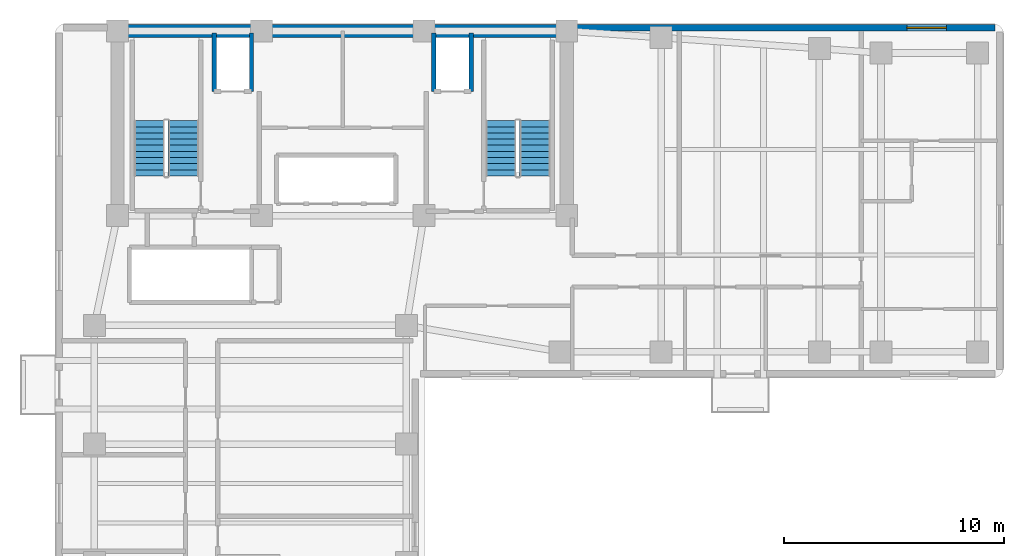
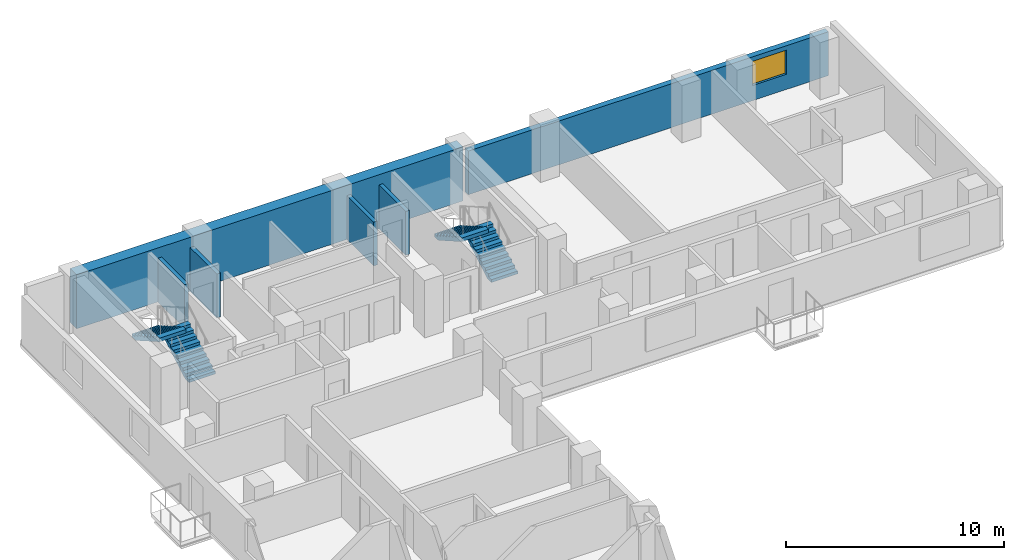
# One storey, part 5 of 7: 6 walls, 4 stair flights, 1 window, 1 opening, 2 elements without a shape of their own.
"""IFC4 building model written with IfcOpenShell, lengths in metres."""

from ifc_helpers import new_model, si_unit, direction, frame, frame_2d, origin, place, context, subcontext, project, spatial, polyline, rectangle, outline, extrude, material, layer, layer_set, type_object, element, fill, aggregate, save


model = new_model("IFC4")

# Units and contexts
model_context = context("Model", 3, precision=1e-05, world=origin(), true_north=direction((0.0, 1.0)))
body_context = subcontext(model_context, "Body", "Model", "MODEL_VIEW")
ifc_project = project(units=[si_unit("LENGTHUNIT", "METRE"), si_unit("AREAUNIT", "SQUARE_METRE"), si_unit("VOLUMEUNIT", "CUBIC_METRE"), si_unit("PLANEANGLEUNIT", "RADIAN"), si_unit("MASSUNIT", "GRAM", prefix="KILO")], contexts=[model_context])

# Site, building, storey
site_placement = place(None, origin())
site = spatial("IfcSite", under=ifc_project, at=site_placement, CompositionType="ELEMENT")
building_placement = place(site_placement, origin())
building = spatial("IfcBuilding", under=site, at=building_placement, Name="Kuzgunbayir Cultural Tower", CompositionType="ELEMENT")
storey_placement = place(building_placement, frame((0.0, 0.0, 129.800048828125)))
storey = spatial("IfcBuildingStorey", under=building, at=storey_placement, Name="L37", CompositionType="ELEMENT", Elevation=129.800048828125)

# Wall
ifc_material_1 = material(Name="Concrete C60/75", Category="concrete")
ifc_layer_1 = layer(ifc_material_1, 0.60009765625)
ifc_layer_set_1 = layer_set([ifc_layer_1], Name="Concrete C60/75")
wall_type_1 = type_object("IfcWallType", Name="WAL-CORE-600", PredefinedType="SHEAR", material=ifc_layer_set_1)
wall_1_placement = place(storey_placement, frame((6.449951171875, 42.199951171875, 0.0), z_axis=(0.0, 0.0, 1.0), x_axis=(1.0, 0.0, 0.0)))
element("IfcWall", 1, at=wall_1_placement, inside=storey, type_object=wall_type_1, Name="L37 T1 Core North Shear Wall", PredefinedType="SHEAR", context=body_context, shape_type="SweptSolid", body=[
    extrude(rectangle(XDim=20.449951171875, YDim=0.60009765625, at=frame_2d((10.22509765625, 0.0))), origin(), (0.0, 0.0, 1.0), 3.02001953125),
])

# Wall, opening, window
ifc_material_2 = material(Name="Anatolian Cream Limestone", Category="masonry")
ifc_layer_2 = layer(ifc_material_2, 0.300048828125)
ifc_layer_set_2 = layer_set([ifc_layer_2], Name="Anatolian Cream Limestone")
wall_type_2 = type_object("IfcWallType", Name="WAL-EXT-STONE-300", PredefinedType="STANDARD", material=ifc_layer_set_2)
wall_2_placement = place(storey_placement, frame((46.39990234375, 42.35009765625, 0.0), z_axis=(0.0, 0.0, 1.0), x_axis=(-1.0, 0.0, 0.0)))
wall_2 = element("IfcWall", 2, at=wall_2_placement, inside=storey, type_object=wall_type_2, Name="L37 North Wing B Limestone Wall", PredefinedType="STANDARD", context=body_context, shape_type="SweptSolid", body=[
    extrude(rectangle(XDim=19.0498046875, YDim=0.300048828125, at=frame_2d((9.52490234375, 0.0))), origin(), (0.0, 0.0, 1.0), 2.449951171875),
])
opening_placement = place(wall_2_placement, frame((2.219970703125, 0.0, 0.85009765625)))
opening = element("IfcOpeningElement", 3, at=opening_placement, cuts=wall_2, Name="Opening WH-18", PredefinedType="OPENING", context=body_context, shape_type="SweptSolid", body=[
    extrude(rectangle(XDim=1.800048828125, YDim=1.35009765625, at=frame_2d((0.89990234375, 0.675048828125))), frame((0.0, 0.16015625, 0.0), z_axis=(0.0, -1.0, 0.0), x_axis=(1.0, 0.0, 0.0)), (0.0, 0.0, 1.0), 0.320068359375),
])
ifc_material_3 = material(Name="Solar-Control Triple Glazing", Category="glass")
window_type = type_object("IfcWindowType", Name="WIN-HOTEL-18", PartitioningType="SINGLE_PANEL", PredefinedType="WINDOW", material=ifc_material_3)
window_placement = place(opening_placement, origin())
window = element("IfcWindow", 4, at=window_placement, inside=storey, type_object=window_type, Name="L37 CRN Facade Window 5", OverallHeight=1.35009765625, OverallWidth=1.800048828125, PartitioningType="SINGLE_PANEL", PredefinedType="WINDOW", context=body_context, shape_type="SweptSolid", body=[
    extrude(rectangle(XDim=1.800048828125, YDim=1.35009765625, at=frame_2d((0.89990234375, 0.675048828125))), frame((0.0, 0.030029296875, 0.0), z_axis=(0.0, -1.0, 0.0), x_axis=(1.0, 0.0, 0.0)), (0.0, 0.0, 1.0), 0.06005859375),
])
fill(opening, window)

# Walls
ifc_material_4 = material(Name="Concrete C40/50", Category="concrete")
ifc_layer_3 = layer(ifc_material_4, 0.199951171875)
ifc_layer_set_3 = layer_set([ifc_layer_3], Name="Concrete C40/50")
wall_type_3 = type_object("IfcWallType", Name="WAL-SHAFT-200", PredefinedType="MOVABLE", material=ifc_layer_set_3)
for number, where, z_axis, x_axis, name in (
    (5, (10.85009765625, 39.449951171875, 0.0), (0.0, 0.0, 1.0), (0.0, 1.0, 0.0), "L37 FFL-1 Shaft West Wall"),
    (6, (12.550048828125, 39.449951171875, 0.0), (0.0, 0.0, 1.0), (0.0, 1.0, 0.0), "L37 FFL-1 Shaft East Wall"),
    (7, (20.85009765625, 39.449951171875, 0.0), (0.0, 0.0, 1.0), (0.0, 1.0, 0.0), "L37 FFL-2 Shaft West Wall"),
    (8, (22.550048828125, 39.449951171875, 0.0), (0.0, 0.0, 1.0), (0.0, 1.0, 0.0), "L37 FFL-2 Shaft East Wall"),
):
    element("IfcWall", number, at=place(storey_placement, frame(where, z_axis=z_axis, x_axis=x_axis)), inside=storey, type_object=wall_type_3, Name=name, PredefinedType="MOVABLE", context=body_context, shape_type="SweptSolid", body=[
        extrude(rectangle(XDim=2.650146484375, YDim=0.199951171875, at=frame_2d((1.3251953125, 0.0))), origin(), (0.0, 0.0, 1.0), 2.449951171875),
    ])

# Stair, stair flights
stair_type = type_object("IfcStairType", Name="STR-EXIT-CORE", PredefinedType="HALF_TURN_STAIR", material=ifc_material_4)
stair_1_placement = place(storey_placement, origin())
stair_1 = element("IfcStair", 9, at=stair_1_placement, inside=storey, type_object=stair_type, Name="L37 ST-1", PredefinedType="HALF_TURN_STAIR")
stair_flight_type = type_object("IfcStairFlightType", Name="STRF-RC-140", PredefinedType="STRAIGHT", material=ifc_material_4)
stair_flight_1_placement = place(storey_placement, frame((9.4599609375, 35.60009765625, 0.0), z_axis=(0.0, 0.0, 1.0), x_axis=(0.0, 1.0, 0.0)))
stair_flight_1 = element("IfcStairFlight", 10, at=stair_flight_1_placement, type_object=stair_flight_type, Name="ST-1 flight 1", NumberOfRisers=10, NumberOfTreads=9, PredefinedType="STRAIGHT", RiserHeight=0.16, TreadLength=0.28, context=body_context, shape_type="SweptSolid", body=[
    extrude(outline(polyline([(0.0, 0.0), (0.0, 0.159912109375), (0.280029296875, 0.159912109375), (0.280029296875, 0.320068359375), (0.56005859375, 0.320068359375), (0.56005859375, 0.47998046875), (0.840087890625, 0.47998046875), (0.840087890625, 0.639892578125), (1.1201171875, 0.639892578125), (1.1201171875, 0.800048828125), (1.39990234375, 0.800048828125), (1.39990234375, 0.9599609375), (1.679931640625, 0.9599609375), (1.679931640625, 1.1201171875), (1.9599609375, 1.1201171875), (1.9599609375, 1.280029296875), (2.239990234375, 1.280029296875), (2.239990234375, 1.43994140625), (2.52001953125, 1.43994140625), (2.52001953125, 1.60009765625), (2.52001953125, 1.232666015625), (0.362548828125, 0.0), (0.0, 0.0)])), frame((0.0, 0.699951171875, 0.0), z_axis=(0.0, -1.0, 0.0), x_axis=(1.0, 0.0, 0.0)), (0.0, 0.0, 1.0), 1.39990234375),
])
stair_flight_2_placement = place(storey_placement, frame((7.89990234375, 38.1201171875, 1.599853515625), z_axis=(0.0, 0.0, 1.0), x_axis=(0.0, -1.0, 0.0)))
stair_flight_2 = element("IfcStairFlight", 11, at=stair_flight_2_placement, type_object=stair_flight_type, Name="ST-1 flight 2", NumberOfRisers=10, NumberOfTreads=9, PredefinedType="STRAIGHT", RiserHeight=0.16, TreadLength=0.28, context=body_context, shape_type="SweptSolid", body=[
    extrude(outline(polyline([(0.0, 0.0), (0.0, 0.159912109375), (0.280029296875, 0.159912109375), (0.280029296875, 0.320068359375), (0.56005859375, 0.320068359375), (0.56005859375, 0.47998046875), (0.840087890625, 0.47998046875), (0.840087890625, 0.639892578125), (1.1201171875, 0.639892578125), (1.1201171875, 0.800048828125), (1.39990234375, 0.800048828125), (1.39990234375, 0.9599609375), (1.679931640625, 0.9599609375), (1.679931640625, 1.1201171875), (1.9599609375, 1.1201171875), (1.9599609375, 1.280029296875), (2.239990234375, 1.280029296875), (2.239990234375, 1.43994140625), (2.52001953125, 1.43994140625), (2.52001953125, 1.60009765625), (2.52001953125, 1.232666015625), (0.362548828125, 0.0), (0.0, 0.0)])), frame((0.0, 0.699951171875, 0.0), z_axis=(0.0, -1.0, 0.0), x_axis=(1.0, 0.0, 0.0)), (0.0, 0.0, 1.0), 1.39990234375),
])
aggregate(stair_1, [stair_flight_1, stair_flight_2])

stair_2_placement = place(storey_placement, origin())
stair_2 = element("IfcStair", 12, at=stair_2_placement, inside=storey, type_object=stair_type, Name="L37 ST-2", PredefinedType="HALF_TURN_STAIR")
stair_flight_3_placement = place(storey_placement, frame((25.4599609375, 35.60009765625, 0.0), z_axis=(0.0, 0.0, 1.0), x_axis=(0.0, 1.0, 0.0)))
stair_flight_3 = element("IfcStairFlight", 13, at=stair_flight_3_placement, type_object=stair_flight_type, Name="ST-2 flight 1", NumberOfRisers=10, NumberOfTreads=9, PredefinedType="STRAIGHT", RiserHeight=0.16, TreadLength=0.28, context=body_context, shape_type="SweptSolid", body=[
    extrude(outline(polyline([(0.0, 0.0), (0.0, 0.159912109375), (0.280029296875, 0.159912109375), (0.280029296875, 0.320068359375), (0.56005859375, 0.320068359375), (0.56005859375, 0.47998046875), (0.840087890625, 0.47998046875), (0.840087890625, 0.639892578125), (1.1201171875, 0.639892578125), (1.1201171875, 0.800048828125), (1.39990234375, 0.800048828125), (1.39990234375, 0.9599609375), (1.679931640625, 0.9599609375), (1.679931640625, 1.1201171875), (1.9599609375, 1.1201171875), (1.9599609375, 1.280029296875), (2.239990234375, 1.280029296875), (2.239990234375, 1.43994140625), (2.52001953125, 1.43994140625), (2.52001953125, 1.60009765625), (2.52001953125, 1.232666015625), (0.362548828125, 0.0), (0.0, 0.0)])), frame((0.0, 0.699951171875, 0.0), z_axis=(0.0, -1.0, 0.0), x_axis=(1.0, 0.0, 0.0)), (0.0, 0.0, 1.0), 1.39990234375),
])
stair_flight_4_placement = place(storey_placement, frame((23.89990234375, 38.1201171875, 1.599853515625), z_axis=(0.0, 0.0, 1.0), x_axis=(0.0, -1.0, 0.0)))
stair_flight_4 = element("IfcStairFlight", 14, at=stair_flight_4_placement, type_object=stair_flight_type, Name="ST-2 flight 2", NumberOfRisers=10, NumberOfTreads=9, PredefinedType="STRAIGHT", RiserHeight=0.16, TreadLength=0.28, context=body_context, shape_type="SweptSolid", body=[
    extrude(outline(polyline([(0.0, 0.0), (0.0, 0.159912109375), (0.280029296875, 0.159912109375), (0.280029296875, 0.320068359375), (0.56005859375, 0.320068359375), (0.56005859375, 0.47998046875), (0.840087890625, 0.47998046875), (0.840087890625, 0.639892578125), (1.1201171875, 0.639892578125), (1.1201171875, 0.800048828125), (1.39990234375, 0.800048828125), (1.39990234375, 0.9599609375), (1.679931640625, 0.9599609375), (1.679931640625, 1.1201171875), (1.9599609375, 1.1201171875), (1.9599609375, 1.280029296875), (2.239990234375, 1.280029296875), (2.239990234375, 1.43994140625), (2.52001953125, 1.43994140625), (2.52001953125, 1.60009765625), (2.52001953125, 1.232666015625), (0.362548828125, 0.0), (0.0, 0.0)])), frame((0.0, 0.699951171875, 0.0), z_axis=(0.0, -1.0, 0.0), x_axis=(1.0, 0.0, 0.0)), (0.0, 0.0, 1.0), 1.39990234375),
])
aggregate(stair_2, [stair_flight_3, stair_flight_4])

save(model, "model.ifc")
